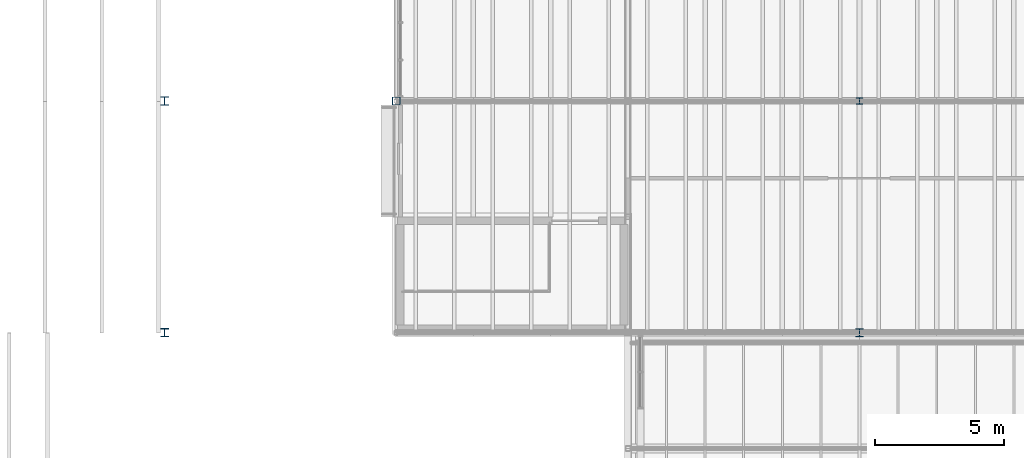
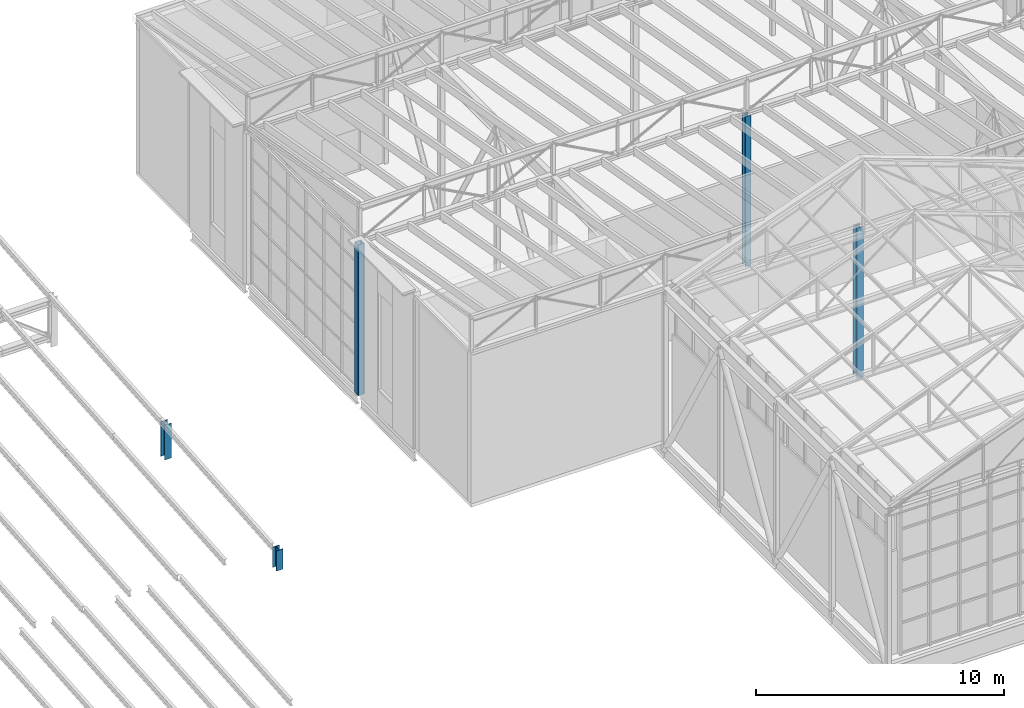
# One storey, part 1 of 90: 5 columns.
"""IFC4 building model written with IfcOpenShell, lengths in metres."""

from ifc_helpers import new_model, si_unit, direction, frame, origin, origin_2d, place, context, subcontext, project, spatial, hollow_rectangle, i_section, extrude, material, material_profile, profile_set, type_object, element, save


model = new_model("IFC4")

# Units and contexts
model_context = context("Model", 3, precision=1e-05, world=origin(), true_north=direction((0.0, 1.0)))
body_context = subcontext(model_context, "Body", "Model", "MODEL_VIEW")
ifc_project = project(units=[si_unit("LENGTHUNIT", "METRE"), si_unit("AREAUNIT", "SQUARE_METRE"), si_unit("VOLUMEUNIT", "CUBIC_METRE"), si_unit("PLANEANGLEUNIT", "RADIAN"), si_unit("MASSUNIT", "GRAM", prefix="KILO")], contexts=[model_context])

# Site, building, storey
site_placement = place(None, origin())
site = spatial("IfcSite", under=ifc_project, at=site_placement, CompositionType="ELEMENT")
building_placement = place(site_placement, origin())
building = spatial("IfcBuilding", under=site, at=building_placement, Name="Halyard Row Museum", CompositionType="ELEMENT")
storey_placement = place(building_placement, frame((0.0, 0.0, 13.39990234375)))
storey = spatial("IfcBuildingStorey", under=building, at=storey_placement, Name="L03", CompositionType="ELEMENT", Elevation=13.39990234375)

# Columns
ifc_material_1 = material(Name="Steel Grade 300", Category="steel")
ifc_material_profile_1 = material_profile(ifc_material_1, i_section(OverallWidth=0.25390625, OverallDepth=0.25390625, WebThickness=0.008544921875, FlangeThickness=0.01416015625, FilletRadius=0.013916015625, at=origin_2d()), Name="250UC72.9")
ifc_profile_set_1 = profile_set([ifc_material_profile_1], Name="Steel Grade 300")
column_type_1 = type_object("IfcColumnType", Name="Column 250UC72.9 interior", PredefinedType="COLUMN", material=ifc_profile_set_1)
column_1_placement = place(storey_placement, frame((45.0, 27.0, 0.0), z_axis=(0.0, 0.0, 1.0), x_axis=(1.0, 0.0, 0.0)))
element("IfcColumn", 1, at=column_1_placement, inside=storey, type_object=column_type_1, Name="Column 6D L03", PredefinedType="COLUMN", context=body_context, shape_type="SweptSolid", body=[
    extrude(i_section(OverallWidth=0.25390625, OverallDepth=0.25390625, WebThickness=0.008544921875, FlangeThickness=0.01416015625, FilletRadius=0.013916015625, at=origin_2d()), origin(), (0.0, 0.0, 1.0), 7.400146484375),
])
ifc_material_2 = material(Name="Steel Grade C350L0", Category="steel")
ifc_material_profile_2 = material_profile(ifc_material_2, hollow_rectangle(XDim=0.300048828125, YDim=0.300048828125, WallThickness=0.010009765625, InnerFilletRadius=0.014892578125, OuterFilletRadius=0.02490234375, at=origin_2d()), Name="300x300x10.0SHS")
ifc_profile_set_2 = profile_set([ifc_material_profile_2], Name="Steel Grade C350L0")
column_type_2 = type_object("IfcColumnType", Name="Column 300x300x10.0SHS edge", PredefinedType="COLUMN", material=ifc_profile_set_2)
column_2_placement = place(storey_placement, frame((27.0, 27.0, 0.0), z_axis=(0.0, 0.0, 1.0), x_axis=(1.0, 0.0, 0.0)))
element("IfcColumn", 2, at=column_2_placement, inside=storey, type_object=column_type_2, Name="Column 4D L03", PredefinedType="COLUMN", context=body_context, shape_type="SweptSolid", body=[
    extrude(hollow_rectangle(XDim=0.300048828125, YDim=0.300048828125, WallThickness=0.010009765625, InnerFilletRadius=0.014892578125, OuterFilletRadius=0.02490234375, at=origin_2d()), origin(), (0.0, 0.0, 1.0), 7.400146484375),
])
ifc_material_3 = material(Name="Steel Grade 300", Category="steel")
ifc_material_profile_3 = material_profile(ifc_material_3, i_section(OverallWidth=0.304931640625, OverallDepth=0.30810546875, WebThickness=0.010009765625, FlangeThickness=0.015380859375, FilletRadius=0.0166015625, at=origin_2d()), Name="310UC96.8")
ifc_profile_set_3 = profile_set([ifc_material_profile_3], Name="Steel Grade 300")
column_type_3 = type_object("IfcColumnType", Name="Column 310UC96.8 interior", PredefinedType="COLUMN", material=ifc_profile_set_3)
column_3_placement = place(storey_placement, frame((45.0, 18.0, 0.0), z_axis=(0.0, 0.0, 1.0), x_axis=(1.0, 0.0, 0.0)))
element("IfcColumn", 3, at=column_3_placement, inside=storey, type_object=column_type_3, Name="Column 6C L03", PredefinedType="COLUMN", context=body_context, shape_type="SweptSolid", body=[
    extrude(i_section(OverallWidth=0.304931640625, OverallDepth=0.30810546875, WebThickness=0.010009765625, FlangeThickness=0.015380859375, FilletRadius=0.0166015625, at=origin_2d()), origin(), (0.0, 0.0, 1.0), 7.400146484375),
])
ifc_material_4 = material(Name="Steel Grade 300", Category="steel")
ifc_material_profile_4 = material_profile(ifc_material_4, i_section(OverallWidth=0.31103515625, OverallDepth=0.3271484375, WebThickness=0.015625, FlangeThickness=0.02490234375, FilletRadius=0.0166015625, at=origin_2d()), Name="310UC158")
ifc_profile_set_4 = profile_set([ifc_material_profile_4], Name="Steel Grade 300")
column_type_4 = type_object("IfcColumnType", Name="Hall frame column 310UC158", PredefinedType="COLUMN", material=ifc_profile_set_4)
column_4_placement = place(storey_placement, frame((18.0, 18.0, 0.0), z_axis=(0.0, 0.0, 1.0), x_axis=(1.0, 0.0, 0.0)))
element("IfcColumn", 4, at=column_4_placement, inside=storey, type_object=column_type_4, Name="Hall frame column L03 y 18", PredefinedType="COLUMN", context=body_context, shape_type="SweptSolid", body=[
    extrude(i_section(OverallWidth=0.31103515625, OverallDepth=0.3271484375, WebThickness=0.015625, FlangeThickness=0.02490234375, FilletRadius=0.0166015625, at=origin_2d()), origin(), (0.0, 0.0, 1.0), 0.99072265625),
])
column_5_placement = place(storey_placement, frame((18.0, 27.0, 0.0), z_axis=(0.0, 0.0, 1.0), x_axis=(1.0, 0.0, 0.0)))
element("IfcColumn", 5, at=column_5_placement, inside=storey, type_object=column_type_4, Name="Hall frame column L03 y 27", PredefinedType="COLUMN", context=body_context, shape_type="SweptSolid", body=[
    extrude(i_section(OverallWidth=0.31103515625, OverallDepth=0.3271484375, WebThickness=0.015625, FlangeThickness=0.02490234375, FilletRadius=0.0166015625, at=origin_2d()), origin(), (0.0, 0.0, 1.0), 1.710693359375),
])

save(model, "model.ifc")
